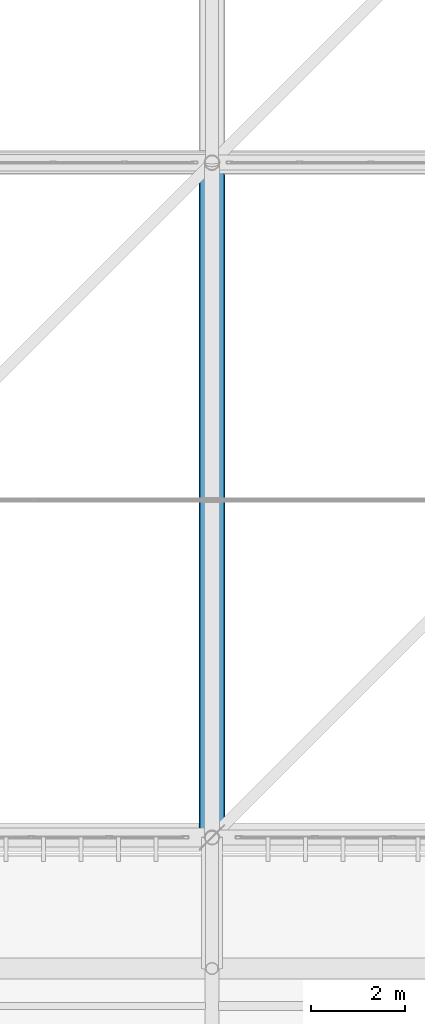
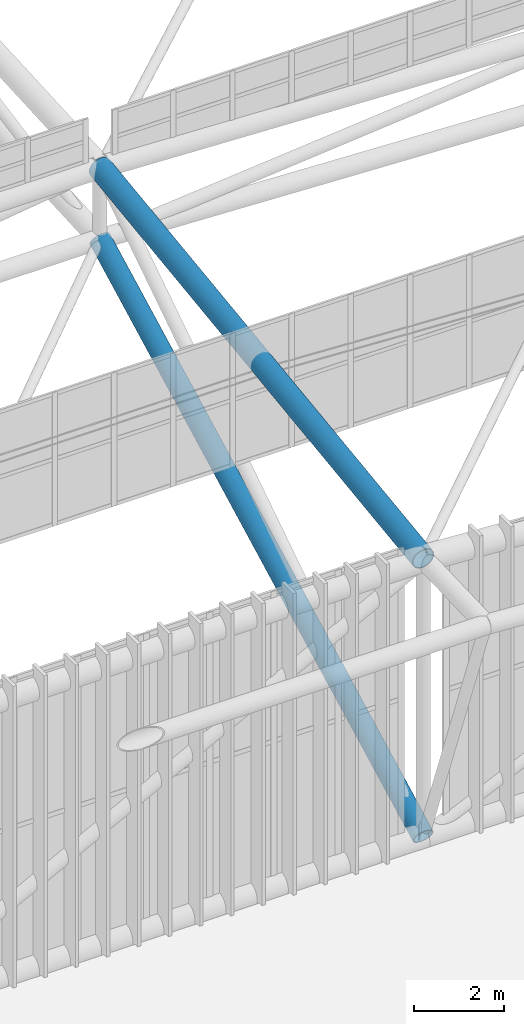
# One storey, part 90 of 397: 2 beams.
"""IFC4 building model written with IfcOpenShell, lengths in metres."""

from ifc_helpers import new_model, si_unit, direction, frame, origin, origin_2d, place, context, subcontext, project, spatial, hollow_circle, extrude, material, material_profile, profile_set, type_object, element, save


model = new_model("IFC4")

# Units and contexts
model_context = context("Model", 3, precision=1e-05, world=origin(), true_north=direction((0.0, 1.0)))
body_context = subcontext(model_context, "Body", "Model", "MODEL_VIEW")
ifc_project = project(units=[si_unit("LENGTHUNIT", "METRE"), si_unit("AREAUNIT", "SQUARE_METRE"), si_unit("VOLUMEUNIT", "CUBIC_METRE"), si_unit("PLANEANGLEUNIT", "RADIAN"), si_unit("MASSUNIT", "GRAM", prefix="KILO")], contexts=[model_context])

# Site, building, storey
site_placement = place(None, origin())
site = spatial("IfcSite", under=ifc_project, at=site_placement, CompositionType="ELEMENT")
building_placement = place(site_placement, origin())
building = spatial("IfcBuilding", under=site, at=building_placement, Name="Qandorah Velis Arena", CompositionType="ELEMENT")
storey_placement = place(building_placement, frame((0.0, 0.0, 27.5)))
storey = spatial("IfcBuildingStorey", under=building, at=storey_placement, Name="RF", CompositionType="ELEMENT", Elevation=27.5)

# Beams
ifc_material = material(Name="Steel S355", Category="steel")
ifc_material_profile_1 = material_profile(ifc_material, hollow_circle(Radius=0.25390625, WallThickness=0.02490234375, at=origin_2d()), Name="CHS 508x25")
ifc_profile_set_1 = profile_set([ifc_material_profile_1], Name="Steel S355")
beam_type_1 = type_object("IfcBeamType", Name="STR-SFC-CHS508X25", PredefinedType="USERDEFINED", material=ifc_profile_set_1)
beam_1_placement = place(storey_placement, frame((72.0, 14.39990234375, 0.10009765625), z_axis=(0.0, 0.886583238071, 0.462569088863), x_axis=(-1.0, 0.0, 0.0)))
element("IfcBeam", 1, at=beam_1_placement, inside=storey, type_object=beam_type_1, Name="Space frame roof truss bottom chord Y 4.0", ObjectType="ROOF TRUSS", PredefinedType="USERDEFINED", context=body_context, shape_type="SweptSolid", body=[
    extrude(hollow_circle(Radius=0.25390625, WallThickness=0.02490234375, at=origin_2d()), origin(), (0.0, 0.0, 1.0), 16.2421875),
])
ifc_material_profile_2 = material_profile(ifc_material, hollow_circle(Radius=0.279541015625, WallThickness=0.02490234375, at=origin_2d()), Name="CHS 559x25")
ifc_profile_set_2 = profile_set([ifc_material_profile_2], Name="Steel S355")
beam_type_2 = type_object("IfcBeamType", Name="STR-SFC-CHS559X25", PredefinedType="USERDEFINED", material=ifc_profile_set_2)
beam_2_placement = place(storey_placement, frame((72.0, 14.39990234375, 7.65576171875), z_axis=(0.0, 0.991340710822, 0.13131486994), x_axis=(-1.0, 0.0, 0.0)))
element("IfcBeam", 2, at=beam_2_placement, inside=storey, type_object=beam_type_2, Name="Space frame roof truss top chord Y 4.0", ObjectType="ROOF TRUSS", PredefinedType="USERDEFINED", context=body_context, shape_type="SweptSolid", body=[
    extrude(hollow_circle(Radius=0.279541015625, WallThickness=0.02490234375, at=origin_2d()), origin(), (0.0, 0.0, 1.0), 14.52587890625),
])

save(model, "model.ifc")
